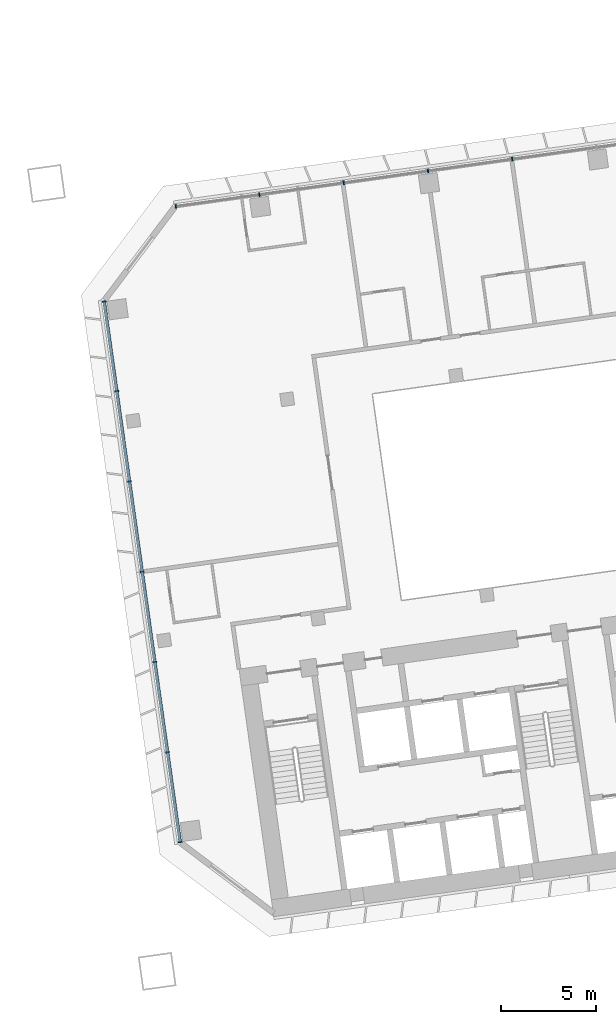
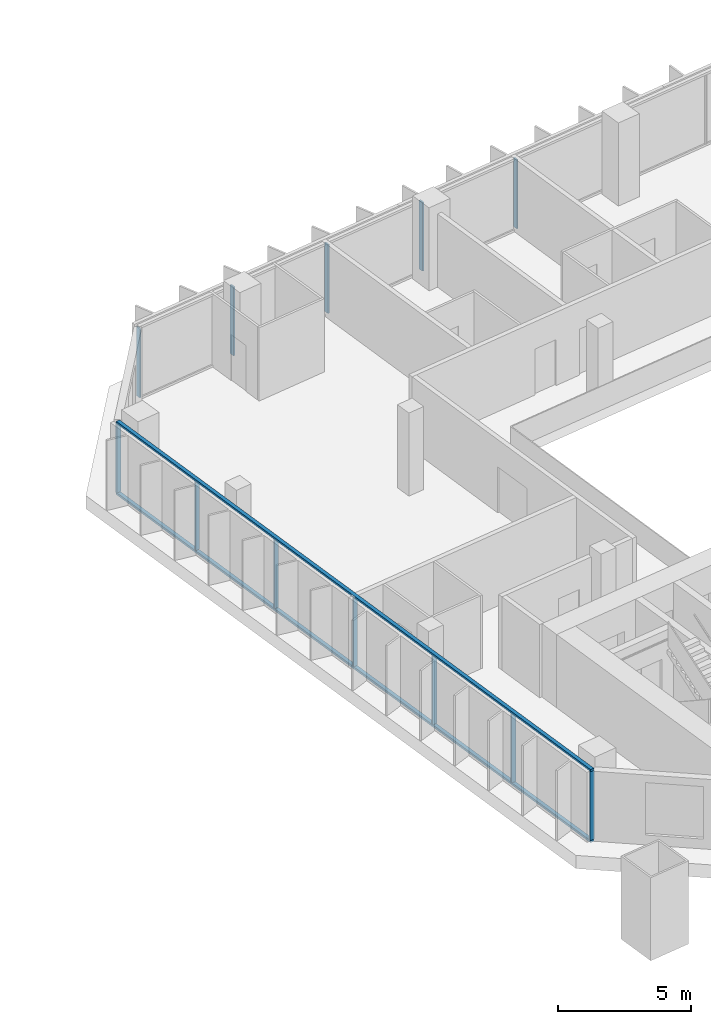
# One storey, part 7 of 24: 14 members, 2 elements without a shape of their own.
"""IFC4 building model written with IfcOpenShell, lengths in metres."""

from ifc_helpers import new_model, si_unit, direction, frame, origin, origin_2d, place, context, subcontext, project, spatial, rectangle, extrude, material, material_profile, profile_set, type_object, element, aggregate, save


model = new_model("IFC4")

# Units and contexts
model_context = context("Model", 3, precision=1e-05, world=origin(), true_north=direction((0.0, 1.0)))
body_context = subcontext(model_context, "Body", "Model", "MODEL_VIEW")
ifc_project = project(units=[si_unit("LENGTHUNIT", "METRE"), si_unit("AREAUNIT", "SQUARE_METRE"), si_unit("VOLUMEUNIT", "CUBIC_METRE"), si_unit("PLANEANGLEUNIT", "RADIAN"), si_unit("MASSUNIT", "GRAM", prefix="KILO")], contexts=[model_context])

# Site, building, storey
site_placement = place(None, origin())
site = spatial("IfcSite", under=ifc_project, at=site_placement, CompositionType="ELEMENT")
building_placement = place(site_placement, origin())
building = spatial("IfcBuilding", under=site, at=building_placement, Name="Mirante Cascada Hotel Towers", CompositionType="ELEMENT")
storey_placement = place(building_placement, frame((0.0, 0.0, 77.5)))
storey = spatial("IfcBuildingStorey", under=building, at=storey_placement, Name="L16", CompositionType="ELEMENT", Elevation=77.5)

# Curtain wall, members
ifc_material_1 = material(Name="Aluminium mullion and transom frame with clear laminated glass", Category="aluminium")
curtain_wall_type_1 = type_object("IfcCurtainWallType", Name="Ribbon curtain wall ECW1", PredefinedType="NOTDEFINED", material=ifc_material_1)
curtain_wall_1_placement = place(storey_placement, origin())
curtain_wall_1 = element("IfcCurtainWall", 1, at=curtain_wall_1_placement, inside=storey, type_object=curtain_wall_type_1, Name="Front ribbon wall T2 L16", PredefinedType="NOTDEFINED")
ifc_material_2 = material(Name="Anodised aluminium extrusion", Category="aluminium")
ifc_material_profile_1 = material_profile(ifc_material_2, rectangle(XDim=0.2, YDim=0.065, at=origin_2d()), Name="ECW1 MULLION 65x200")
ifc_profile_set_1 = profile_set([ifc_material_profile_1], Name="Anodised aluminium extrusion")
member_type_1 = type_object("IfcMemberType", Name="ECW1 mullion 65x200", PredefinedType="MULLION", material=ifc_profile_set_1)
member_1_placement = place(storey_placement, frame((49.684, 19.8017, 0.1), z_axis=(0.0, 0.0, 1.0), x_axis=(0.1391731, -0.9902681, 0.0)))
member_1 = element("IfcMember", 2, at=member_1_placement, type_object=member_type_1, Name="ECW1 mullion 11", PredefinedType="MULLION", context=body_context, shape_type="SweptSolid", body=[
    extrude(rectangle(XDim=0.2, YDim=0.065, at=origin_2d()), origin(), (0.0, 0.0, 1.0), 3.15),
])
member_2_placement = place(storey_placement, frame((45.2366, 19.1766, 0.1), z_axis=(0.0, 0.0, 1.0), x_axis=(0.1391731, -0.9902681, 0.0)))
member_2 = element("IfcMember", 3, at=member_2_placement, type_object=member_type_1, Name="ECW1 mullion 12", PredefinedType="MULLION", context=body_context, shape_type="SweptSolid", body=[
    extrude(rectangle(XDim=0.2, YDim=0.065, at=origin_2d()), origin(), (0.0, 0.0, 1.0), 3.15),
])
member_3_placement = place(storey_placement, frame((40.7892, 18.5516, 0.1), z_axis=(0.0, 0.0, 1.0), x_axis=(0.1391731, -0.9902681, 0.0)))
member_3 = element("IfcMember", 4, at=member_3_placement, type_object=member_type_1, Name="ECW1 mullion 13", PredefinedType="MULLION", context=body_context, shape_type="SweptSolid", body=[
    extrude(rectangle(XDim=0.2, YDim=0.065, at=origin_2d()), origin(), (0.0, 0.0, 1.0), 3.15),
])
member_4_placement = place(storey_placement, frame((36.3417, 17.9265, 0.1), z_axis=(0.0, 0.0, 1.0), x_axis=(0.1391731, -0.9902681, 0.0)))
member_4 = element("IfcMember", 5, at=member_4_placement, type_object=member_type_1, Name="ECW1 mullion 14", PredefinedType="MULLION", context=body_context, shape_type="SweptSolid", body=[
    extrude(rectangle(XDim=0.2, YDim=0.065, at=origin_2d()), origin(), (0.0, 0.0, 1.0), 3.15),
])
member_5_placement = place(storey_placement, frame((31.9265, 17.306, 0.1), z_axis=(0.0, 0.0, 1.0), x_axis=(0.1391731, -0.9902681, 0.0)))
member_5 = element("IfcMember", 6, at=member_5_placement, type_object=member_type_1, Name="ECW1 mullion 15", PredefinedType="MULLION", context=body_context, shape_type="SweptSolid", body=[
    extrude(rectangle(XDim=0.2, YDim=0.065, at=origin_2d()), origin(), (0.0, 0.0, 1.0), 3.15),
])
aggregate(curtain_wall_1, [member_1, member_2, member_3, member_4, member_5])

ifc_material_3 = material(Name="Aluminium mullion and transom frame with clear laminated glass", Category="aluminium")
curtain_wall_type_2 = type_object("IfcCurtainWallType", Name="End ribbon curtain wall ECW2", PredefinedType="NOTDEFINED", material=ifc_material_3)
curtain_wall_2_placement = place(storey_placement, origin())
curtain_wall_2 = element("IfcCurtainWall", 7, at=curtain_wall_2_placement, inside=storey, type_object=curtain_wall_type_2, Name="Inner end wall T2 L16", PredefinedType="NOTDEFINED")
ifc_material_4 = material(Name="Anodised aluminium extrusion", Category="aluminium")
ifc_material_profile_2 = material_profile(ifc_material_4, rectangle(XDim=0.2, YDim=0.065, at=origin_2d()), Name="ECW2 MULLION 65x200")
ifc_profile_set_2 = profile_set([ifc_material_profile_2], Name="Anodised aluminium extrusion")
member_type_2 = type_object("IfcMemberType", Name="ECW2 mullion 65x200", PredefinedType="MULLION", material=ifc_profile_set_2)
member_6_placement = place(storey_placement, frame((28.1437, 12.2861, 0.1), z_axis=(0.0, 0.0, 1.0), x_axis=(0.9902681, 0.1391731, 0.0)))
member_6 = element("IfcMember", 8, at=member_6_placement, type_object=member_type_2, Name="ECW2 mullion 1", PredefinedType="MULLION", context=body_context, shape_type="SweptSolid", body=[
    extrude(rectangle(XDim=0.2, YDim=0.065, at=origin_2d()), origin(), (0.0, 0.0, 1.0), 3.15),
])
member_7_placement = place(storey_placement, frame((28.809, 7.5524, 0.1), z_axis=(0.0, 0.0, 1.0), x_axis=(0.9902681, 0.1391731, 0.0)))
member_7 = element("IfcMember", 9, at=member_7_placement, type_object=member_type_2, Name="ECW2 mullion 2", PredefinedType="MULLION", context=body_context, shape_type="SweptSolid", body=[
    extrude(rectangle(XDim=0.2, YDim=0.065, at=origin_2d()), origin(), (0.0, 0.0, 1.0), 3.15),
])
member_8_placement = place(storey_placement, frame((29.4788, 2.7867, 0.1), z_axis=(0.0, 0.0, 1.0), x_axis=(0.9902681, 0.1391731, 0.0)))
member_8 = element("IfcMember", 10, at=member_8_placement, type_object=member_type_2, Name="ECW2 mullion 3", PredefinedType="MULLION", context=body_context, shape_type="SweptSolid", body=[
    extrude(rectangle(XDim=0.2, YDim=0.065, at=origin_2d()), origin(), (0.0, 0.0, 1.0), 3.15),
])
member_9_placement = place(storey_placement, frame((30.1485, -1.9791, 0.1), z_axis=(0.0, 0.0, 1.0), x_axis=(0.9902681, 0.1391731, 0.0)))
member_9 = element("IfcMember", 11, at=member_9_placement, type_object=member_type_2, Name="ECW2 mullion 4", PredefinedType="MULLION", context=body_context, shape_type="SweptSolid", body=[
    extrude(rectangle(XDim=0.2, YDim=0.065, at=origin_2d()), origin(), (0.0, 0.0, 1.0), 3.15),
])
member_10_placement = place(storey_placement, frame((30.8183, -6.7449, 0.1), z_axis=(0.0, 0.0, 1.0), x_axis=(0.9902681, 0.1391731, 0.0)))
member_10 = element("IfcMember", 12, at=member_10_placement, type_object=member_type_2, Name="ECW2 mullion 5", PredefinedType="MULLION", context=body_context, shape_type="SweptSolid", body=[
    extrude(rectangle(XDim=0.2, YDim=0.065, at=origin_2d()), origin(), (0.0, 0.0, 1.0), 3.15),
])
member_11_placement = place(storey_placement, frame((31.4881, -11.5107, 0.1), z_axis=(0.0, 0.0, 1.0), x_axis=(0.9902681, 0.1391731, 0.0)))
member_11 = element("IfcMember", 13, at=member_11_placement, type_object=member_type_2, Name="ECW2 mullion 6", PredefinedType="MULLION", context=body_context, shape_type="SweptSolid", body=[
    extrude(rectangle(XDim=0.2, YDim=0.065, at=origin_2d()), origin(), (0.0, 0.0, 1.0), 3.15),
])
member_12_placement = place(storey_placement, frame((32.1534, -16.2443, 0.1), z_axis=(0.0, 0.0, 1.0), x_axis=(0.9902681, 0.1391731, 0.0)))
member_12 = element("IfcMember", 14, at=member_12_placement, type_object=member_type_2, Name="ECW2 mullion 7", PredefinedType="MULLION", context=body_context, shape_type="SweptSolid", body=[
    extrude(rectangle(XDim=0.2, YDim=0.065, at=origin_2d()), origin(), (0.0, 0.0, 1.0), 3.15),
])
ifc_material_5 = material(Name="Anodised aluminium extrusion", Category="aluminium")
ifc_material_profile_3 = material_profile(ifc_material_5, rectangle(XDim=0.16, YDim=0.1, at=origin_2d()), Name="ECW2 TRANSOM 100x160")
ifc_profile_set_3 = profile_set([ifc_material_profile_3], Name="Anodised aluminium extrusion")
member_type_3 = type_object("IfcMemberType", Name="ECW2 transom 100x160", PredefinedType="USERDEFINED", material=ifc_profile_set_3)
member_13_placement = place(storey_placement, frame((28.1392, 12.3182, 0.05), z_axis=(0.1391723, -0.9902682, 0.0), x_axis=(0.9902682, 0.1391723, 0.0)))
member_13 = element("IfcMember", 15, at=member_13_placement, type_object=member_type_3, Name="ECW2 sill transom", ObjectType="TRANSOM", PredefinedType="USERDEFINED", context=body_context, shape_type="SweptSolid", body=[
    extrude(rectangle(XDim=0.16, YDim=0.1, at=origin_2d()), origin(), (0.0, 0.0, 1.0), 28.8757),
])
member_14_placement = place(storey_placement, frame((28.1392, 12.3182, 3.3), z_axis=(0.1391723, -0.9902682, 0.0), x_axis=(0.9902682, 0.1391723, 0.0)))
member_14 = element("IfcMember", 16, at=member_14_placement, type_object=member_type_3, Name="ECW2 head transom", ObjectType="TRANSOM", PredefinedType="USERDEFINED", context=body_context, shape_type="SweptSolid", body=[
    extrude(rectangle(XDim=0.16, YDim=0.1, at=origin_2d()), origin(), (0.0, 0.0, 1.0), 28.8757),
])
aggregate(curtain_wall_2, [member_13, member_14, member_6, member_7, member_8, member_9, member_10, member_11, member_12])

save(model, "model.ifc")
